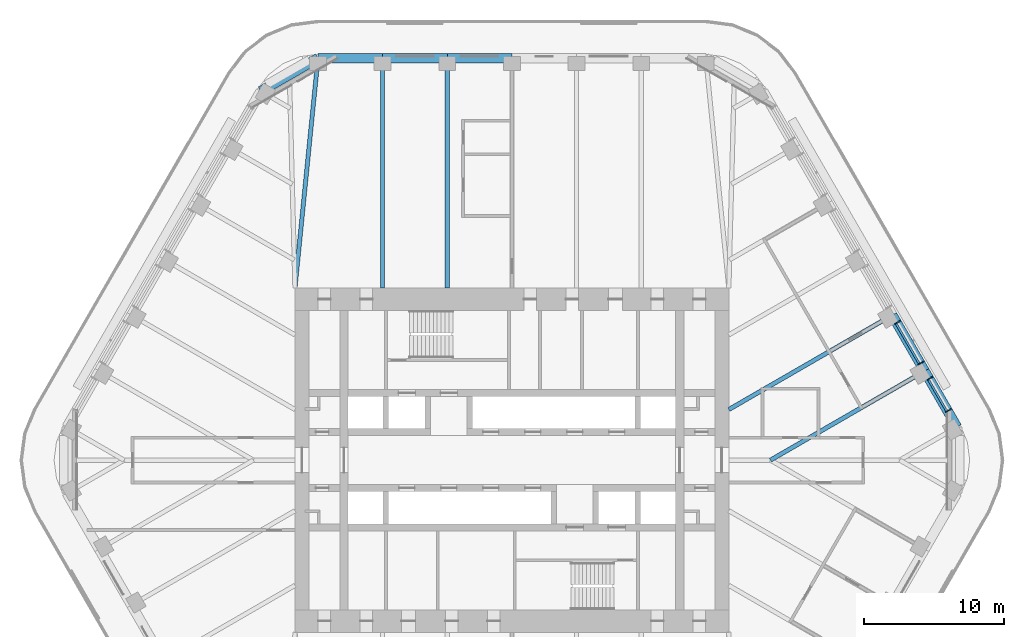
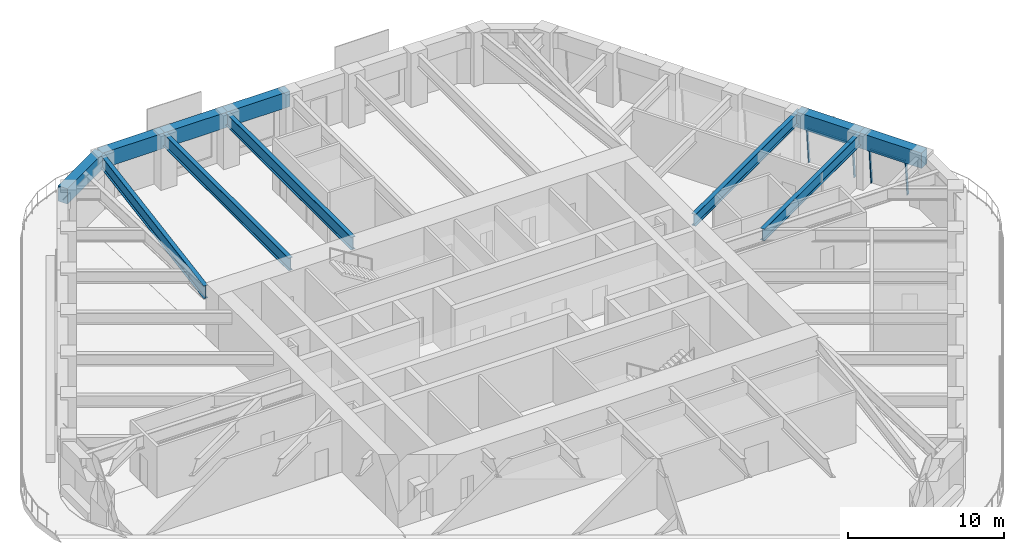
# One storey, part 9 of 20: 11 beams, 6 members, 2 elements without a shape of their own.
"""IFC4 building model written with IfcOpenShell, lengths in metres."""

from ifc_helpers import new_model, si_unit, direction, frame, origin, origin_2d, place, context, subcontext, project, spatial, rectangle, i_section, extrude, material, material_profile, profile_set, type_object, element, aggregate, save


model = new_model("IFC4")

# Units and contexts
model_context = context("Model", 3, precision=1e-05, world=origin(), true_north=direction((0.0, 1.0)))
body_context = subcontext(model_context, "Body", "Model", "MODEL_VIEW")
ifc_project = project(units=[si_unit("LENGTHUNIT", "METRE"), si_unit("AREAUNIT", "SQUARE_METRE"), si_unit("VOLUMEUNIT", "CUBIC_METRE"), si_unit("PLANEANGLEUNIT", "RADIAN"), si_unit("MASSUNIT", "GRAM", prefix="KILO")], contexts=[model_context])

# Site, building, storey
site_placement = place(None, origin())
site = spatial("IfcSite", under=ifc_project, at=site_placement, CompositionType="ELEMENT")
building_placement = place(site_placement, origin())
building = spatial("IfcBuilding", under=site, at=building_placement, Name="Tarfa Lantern Tower", CompositionType="ELEMENT")
storey_placement = place(building_placement, frame((0.0, 0.0, 261.699951171875)))
storey = spatial("IfcBuildingStorey", under=building, at=storey_placement, Name="L59", CompositionType="ELEMENT", Elevation=261.699951171875)

# Curtain wall, members
ifc_material_1 = material(Name="Aluminium framed curtain wall", Category="aluminium")
curtain_wall_type = type_object("IfcCurtainWallType", Name="CW3 CANTED GLAZING HIGH ZONE 2800", PredefinedType="USERDEFINED", material=ifc_material_1)
curtain_wall_1_placement = place(storey_placement, origin())
curtain_wall_1 = element("IfcCurtainWall", 1, at=curtain_wall_1_placement, inside=storey, type_object=curtain_wall_type, Name="CW3 NE L59", ObjectType="CURTAIN WALL", PredefinedType="USERDEFINED")
ifc_material_2 = material(Name="Aluminium mullion", Category="aluminium")
ifc_material_profile_1 = material_profile(ifc_material_2, rectangle(XDim=0.06494140625, YDim=0.199951171875, at=origin_2d()), Name="AL MULLION 65x200")
ifc_profile_set_1 = profile_set([ifc_material_profile_1], Name="Aluminium mullion")
member_type_1 = type_object("IfcMemberType", Name="CWM1 MULLION 65x200", PredefinedType="MULLION", material=ifc_profile_set_1)
member_1_placement = place(storey_placement, frame((31.2900390625, 3.60400390625, 0.0), z_axis=(-0.077032386753, -0.044465143199, 0.996036576854), x_axis=(0.499919672301, -0.866071776036, 0.0)))
member_1 = element("IfcMember", 2, at=member_1_placement, type_object=member_type_1, Name="CW3 mullion 1", PredefinedType="MULLION", context=body_context, shape_type="SweptSolid", body=[
    extrude(rectangle(XDim=0.06494140625, YDim=0.199951171875, at=origin_2d()), origin(), (0.0, 0.0, 1.0), 2.811279296875),
])
member_2_placement = place(storey_placement, frame((29.963134765625, 5.90234375, 0.0), z_axis=(-0.077032386753, -0.044465143199, 0.996036576854), x_axis=(0.499919672301, -0.866071776036, 0.0)))
member_2 = element("IfcMember", 3, at=member_2_placement, type_object=member_type_1, Name="CW3 mullion 2", PredefinedType="MULLION", context=body_context, shape_type="SweptSolid", body=[
    extrude(rectangle(XDim=0.06494140625, YDim=0.199951171875, at=origin_2d()), origin(), (0.0, 0.0, 1.0), 2.811279296875),
])

curtain_wall_2_placement = place(storey_placement, origin())
curtain_wall_2 = element("IfcCurtainWall", 4, at=curtain_wall_2_placement, inside=storey, type_object=curtain_wall_type, Name="CW3 NE L59", ObjectType="CURTAIN WALL", PredefinedType="USERDEFINED")
member_3_placement = place(storey_placement, frame((29.33056640625, 6.997802734375, 0.0), z_axis=(-0.076946055247, -0.044465440504, 0.996043236603), x_axis=(0.500342721131, -0.865827443207, 0.0)))
member_3 = element("IfcMember", 5, at=member_3_placement, type_object=member_type_1, Name="CW3 mullion 1", PredefinedType="MULLION", context=body_context, shape_type="SweptSolid", body=[
    extrude(rectangle(XDim=0.06494140625, YDim=0.199951171875, at=origin_2d()), origin(), (0.0, 0.0, 1.0), 2.811279296875),
])
member_4_placement = place(storey_placement, frame((27.65380859375, 9.90234375, 0.0), z_axis=(-0.077032386753, -0.044465143199, 0.996036576854), x_axis=(0.499919672301, -0.866071776036, 0.0)))
member_4 = element("IfcMember", 6, at=member_4_placement, type_object=member_type_1, Name="CW3 mullion 2", PredefinedType="MULLION", context=body_context, shape_type="SweptSolid", body=[
    extrude(rectangle(XDim=0.06494140625, YDim=0.199951171875, at=origin_2d()), origin(), (0.0, 0.0, 1.0), 2.811279296875),
])

# Member
ifc_material_3 = material(Name="Aluminium transom", Category="aluminium")
ifc_material_profile_2 = material_profile(ifc_material_3, rectangle(XDim=0.14990234375, YDim=0.06494140625, at=origin_2d()), Name="AL TRANSOM 150x65")
ifc_profile_set_2 = profile_set([ifc_material_profile_2], Name="Aluminium transom")
member_type_2 = type_object("IfcMemberType", Name="CWT1 TRANSOM 150x65", PredefinedType="USERDEFINED", material=ifc_profile_set_2)
member_5_placement = place(storey_placement, frame((31.059814453125, 3.508544921875, 2.767578125), z_axis=(-0.5000136139, 0.866017543653, 0.0), x_axis=(-0.866017543653, -0.5000136139, 0.0)))
member_5 = element("IfcMember", 7, at=member_5_placement, type_object=member_type_2, Name="CW3 transom 1.2", ObjectType="TRANSOM", PredefinedType="USERDEFINED", context=body_context, shape_type="SweptSolid", body=[
    extrude(rectangle(XDim=0.14990234375, YDim=0.06494140625, at=origin_2d()), origin(), (0.0, 0.0, 1.0), 2.5888671875),
])

aggregate(curtain_wall_1, [member_1, member_2, member_5])

member_6_placement = place(storey_placement, frame((29.100341796875, 6.90234375, 2.767578125), z_axis=(-0.499979497339, 0.866037240677, 0.0), x_axis=(-0.866037240677, -0.499979497339, 0.0)))
member_6 = element("IfcMember", 8, at=member_6_placement, type_object=member_type_2, Name="CW3 transom 1.2", ObjectType="TRANSOM", PredefinedType="USERDEFINED", context=body_context, shape_type="SweptSolid", body=[
    extrude(rectangle(XDim=0.14990234375, YDim=0.06494140625, at=origin_2d()), origin(), (0.0, 0.0, 1.0), 3.288818359375),
])

aggregate(curtain_wall_2, [member_3, member_4, member_6])

# Beams
ifc_material_4 = material(Name="Concrete C80/95", Category="concrete")
ifc_material_profile_3 = material_profile(ifc_material_4, rectangle(XDim=0.699951171875, YDim=1.199951171875, at=origin_2d()), Name="RC 700x1200")
ifc_profile_set_3 = profile_set([ifc_material_profile_3], Name="Concrete C80/95")
beam_type_1 = type_object("IfcBeamType", Name="EB3 RC 700x1200", PredefinedType="SPANDREL", material=ifc_profile_set_3)
beam_1_placement = place(storey_placement, frame((31.800537109375, 2.360107421875, 3.400146484375), z_axis=(-0.500027479704, 0.866009537788, 0.0), x_axis=(-0.866009537788, -0.500027479704, 0.0)))
element("IfcBeam", 9, at=beam_1_placement, inside=storey, type_object=beam_type_1, Name="Edge beam NE0", PredefinedType="SPANDREL", context=body_context, shape_type="SweptSolid", body=[
    extrude(rectangle(XDim=0.699951171875, YDim=1.199951171875, at=origin_2d()), origin(), (0.0, 0.0, 1.0), 4.618896484375),
])
beam_2_placement = place(storey_placement, frame((29.490966796875, 6.360107421875, 3.400146484375), z_axis=(-0.499987836815, 0.866032426089, 0.0), x_axis=(-0.866032426089, -0.499987836815, 0.0)))
element("IfcBeam", 10, at=beam_2_placement, inside=storey, type_object=beam_type_1, Name="Edge beam NE1", PredefinedType="SPANDREL", context=body_context, shape_type="SweptSolid", body=[
    extrude(rectangle(XDim=0.699951171875, YDim=1.199951171875, at=origin_2d()), origin(), (0.0, 0.0, 1.0), 4.61865234375),
])
beam_3_placement = place(storey_placement, frame((0.0, 28.719970703125, 3.400146484375), z_axis=(-1.0, 0.0, 0.0), x_axis=(0.0, -1.0, 0.0)))
element("IfcBeam", 11, at=beam_3_placement, inside=storey, type_object=beam_type_1, Name="Edge beam N3", PredefinedType="SPANDREL", context=body_context, shape_type="SweptSolid", body=[
    extrude(rectangle(XDim=0.699951171875, YDim=1.199951171875, at=origin_2d()), origin(), (0.0, 0.0, 1.0), 4.618896484375),
])
beam_4_placement = place(storey_placement, frame((-4.618896484375, 28.719970703125, 3.400146484375), z_axis=(-1.0, 0.0, 0.0), x_axis=(0.0, -1.0, 0.0)))
element("IfcBeam", 12, at=beam_4_placement, inside=storey, type_object=beam_type_1, Name="Edge beam N4", PredefinedType="SPANDREL", context=body_context, shape_type="SweptSolid", body=[
    extrude(rectangle(XDim=0.699951171875, YDim=1.199951171875, at=origin_2d()), origin(), (0.0, 0.0, 1.0), 4.61865234375),
])
beam_5_placement = place(storey_placement, frame((-9.237548828125, 28.719970703125, 3.400146484375), z_axis=(-1.0, 0.0, 0.0), x_axis=(0.0, -1.0, 0.0)))
element("IfcBeam", 13, at=beam_5_placement, inside=storey, type_object=beam_type_1, Name="Edge beam N5", PredefinedType="SPANDREL", context=body_context, shape_type="SweptSolid", body=[
    extrude(rectangle(XDim=0.699951171875, YDim=1.199951171875, at=origin_2d()), origin(), (0.0, 0.0, 1.0), 4.618896484375),
])
beam_6_placement = place(storey_placement, frame((-13.8564453125, 28.719970703125, 3.400146484375), z_axis=(-0.866038294681, -0.499977671647, 0.0), x_axis=(0.499977671647, -0.866038294681, 0.0)))
element("IfcBeam", 14, at=beam_6_placement, inside=storey, type_object=beam_type_1, Name="Edge beam N6", PredefinedType="SPANDREL", context=body_context, shape_type="SweptSolid", body=[
    extrude(rectangle(XDim=0.699951171875, YDim=1.199951171875, at=origin_2d()), origin(), (0.0, 0.0, 1.0), 4.719970703125),
])
ifc_material_5 = material(Name="Steel S460M", Category="steel")
ifc_material_profile_4 = material_profile(ifc_material_5, i_section(OverallWidth=0.302001953125, OverallDepth=1.008056640625, WebThickness=0.02099609375, FlangeThickness=0.0400390625, FilletRadius=0.030029296875, at=origin_2d()), Name="UB1016x305x349")
ifc_profile_set_4 = profile_set([ifc_material_profile_4], Name="Steel S460M")
beam_type_2 = type_object("IfcBeamType", Name="UB1016x305x349", PredefinedType="BEAM", material=ifc_profile_set_4)
for number, where, z_axis, x_axis, name in (
    (15, (-4.618896484375, 28.719970703125, 3.49609375), (0.0, -1.0, 0.0), (1.0, 0.0, 0.0), "Floor beam N4"),
    (16, (-9.237548828125, 28.719970703125, 3.49609375), (0.0, -1.0, 0.0), (1.0, 0.0, 0.0), "Floor beam N5"),
):
    element("IfcBeam", number, at=place(storey_placement, frame(where, z_axis=z_axis, x_axis=x_axis)), inside=storey, type_object=beam_type_2, Name=name, PredefinedType="BEAM", context=body_context, shape_type="SweptSolid", body=[
        extrude(i_section(OverallWidth=0.302001953125, OverallDepth=1.008056640625, WebThickness=0.02099609375, FlangeThickness=0.0400390625, FilletRadius=0.030029296875, at=origin_2d()), origin(), (0.0, 0.0, 1.0), 16.419921875),
    ])
beam_7_placement = place(storey_placement, frame((-13.8564453125, 28.719970703125, 3.49609375), z_axis=(-0.099597466746, -0.995027810977, 0.0), x_axis=(0.995027810977, -0.099597466746, 0.0)))
element("IfcBeam", 17, at=beam_7_placement, inside=storey, type_object=beam_type_2, Name="Floor beam N6", PredefinedType="BEAM", context=body_context, shape_type="SweptSolid", body=[
    extrude(i_section(OverallWidth=0.302001953125, OverallDepth=1.008056640625, WebThickness=0.02099609375, FlangeThickness=0.0400390625, FilletRadius=0.030029296875, at=origin_2d()), origin(), (0.0, 0.0, 1.0), 16.501953125),
])
ifc_material_profile_5 = material_profile(ifc_material_5, i_section(OverallWidth=0.305419921875, OverallDepth=0.91845703125, WebThickness=0.017333984375, FlangeThickness=0.02783203125, FilletRadius=0.01904296875, at=origin_2d()), Name="UB914x305x253")
ifc_profile_set_5 = profile_set([ifc_material_profile_5], Name="Steel S460M")
beam_type_3 = type_object("IfcBeamType", Name="UB914x305x253", PredefinedType="BEAM", material=ifc_profile_set_5)
beam_8_placement = place(storey_placement, frame((29.490966796875, 6.360107421875, 3.540771484375), z_axis=(-0.866022258038, -0.500005448553, 0.0), x_axis=(0.500005448553, -0.866022258038, 0.0)))
element("IfcBeam", 18, at=beam_8_placement, inside=storey, type_object=beam_type_3, Name="Floor beam NE1", PredefinedType="BEAM", context=body_context, shape_type="SweptSolid", body=[
    extrude(i_section(OverallWidth=0.305419921875, OverallDepth=0.91845703125, WebThickness=0.017333984375, FlangeThickness=0.02783203125, FilletRadius=0.01904296875, at=origin_2d()), origin(), (0.0, 0.0, 1.0), 12.719970703125),
])
beam_9_placement = place(storey_placement, frame((27.181640625, 10.360107421875, 3.540771484375), z_axis=(-0.866018002818, -0.500012818631, 0.0), x_axis=(0.500012818631, -0.866018002818, 0.0)))
element("IfcBeam", 19, at=beam_9_placement, inside=storey, type_object=beam_type_3, Name="Floor beam NE2", PredefinedType="BEAM", context=body_context, shape_type="SweptSolid", body=[
    extrude(i_section(OverallWidth=0.305419921875, OverallDepth=0.91845703125, WebThickness=0.017333984375, FlangeThickness=0.02783203125, FilletRadius=0.01904296875, at=origin_2d()), origin(), (0.0, 0.0, 1.0), 13.489013671875),
])

save(model, "model.ifc")
